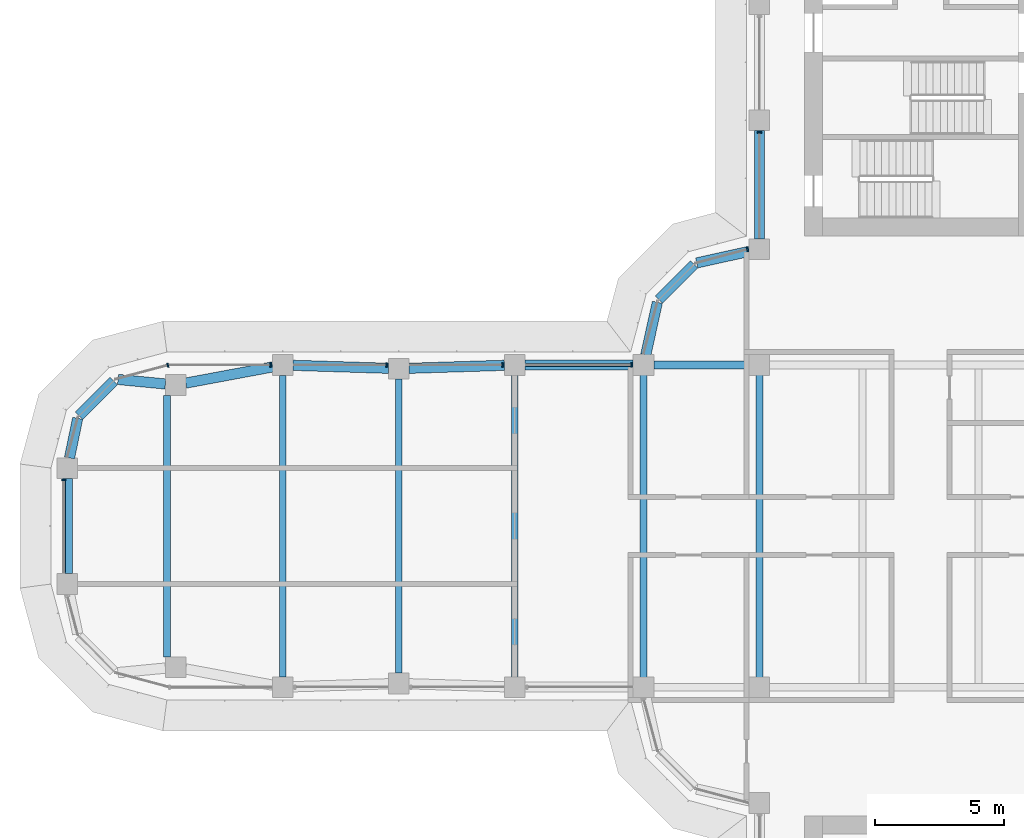
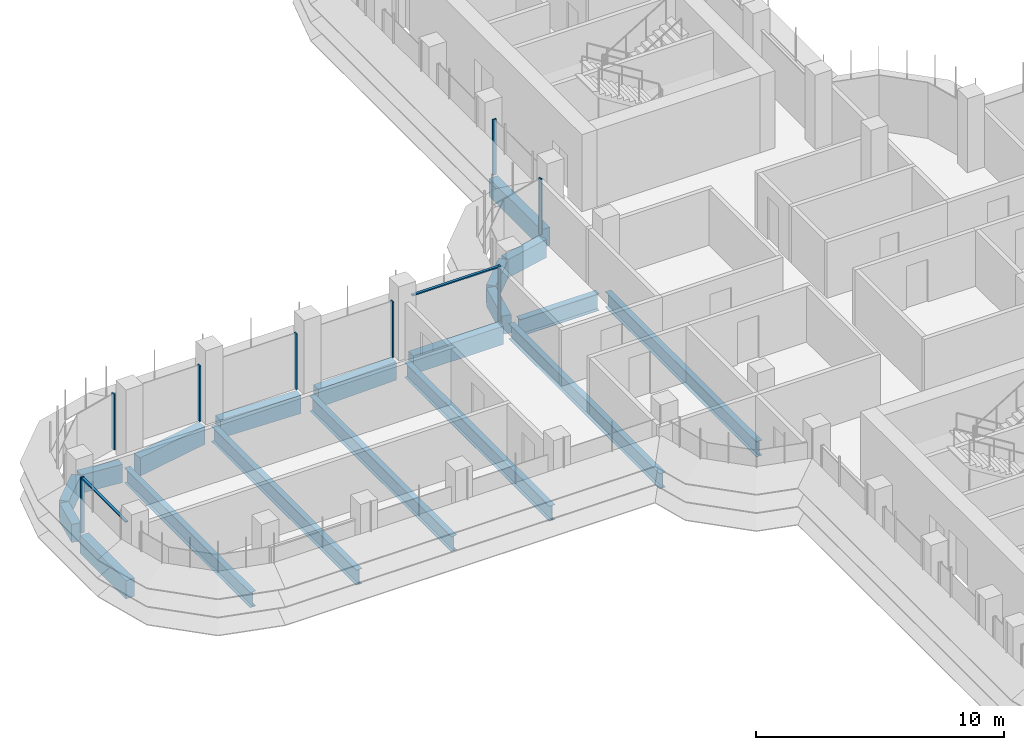
# One storey, part 6 of 20: 19 beams, 10 members, 5 elements without a shape of their own.
"""IFC4 building model written with IfcOpenShell, lengths in metres."""

from ifc_helpers import new_model, si_unit, direction, frame, origin, origin_2d, place, context, subcontext, project, spatial, polyline, rectangle, i_section, outline, extrude, source, transform, mapped, material, material_profile, profile_set, type_object, element, aggregate, save


model = new_model("IFC4")

# Units and contexts
model_context = context("Model", 3, precision=1e-05, world=origin(), true_north=direction((0.0, 1.0)))
body_context = subcontext(model_context, "Body", "Model", "MODEL_VIEW")
ifc_project = project(units=[si_unit("LENGTHUNIT", "METRE"), si_unit("AREAUNIT", "SQUARE_METRE"), si_unit("VOLUMEUNIT", "CUBIC_METRE"), si_unit("PLANEANGLEUNIT", "RADIAN"), si_unit("MASSUNIT", "GRAM", prefix="KILO")], contexts=[model_context])

# Site, building, storey
site_placement = place(None, origin())
site = spatial("IfcSite", under=ifc_project, at=site_placement, CompositionType="ELEMENT")
building_placement = place(site_placement, origin())
building = spatial("IfcBuilding", under=site, at=building_placement, Name="Zarbagh Exchange Tower", CompositionType="ELEMENT")
storey_placement = place(building_placement, frame((0.0, 0.0, 141.0)))
storey = spatial("IfcBuildingStorey", under=building, at=storey_placement, Name="L33", CompositionType="ELEMENT", Elevation=141.0)

# Beams
ifc_material_1 = material(Name="Steel ASTM A992 Gr 50", Category="steel")
ifc_material_profile_1 = material_profile(ifc_material_1, i_section(OverallWidth=0.26416015625, OverallDepth=0.749267578125, WebThickness=0.011962890625, FlangeThickness=0.015380859375, at=origin_2d()), Name="W30X90")
ifc_profile_set_1 = profile_set([ifc_material_profile_1], Name="Steel ASTM A992 Gr 50")
beam_type_1 = type_object("IfcBeamType", Name="Floor beam W30X90", PredefinedType="BEAM", material=ifc_profile_set_1)
for number, where, z_axis, x_axis, name in (
    (1, (-10.75, -6.10400390625, -0.524658203125), (0.0, 1.0, 0.0), (-1.0, 0.0, 0.0), "Steel floor beam"),
    (2, (-6.25, -6.10400390625, -0.524658203125), (0.0, 1.0, 0.0), (-1.0, 0.0, 0.0), "Steel floor beam"),
):
    element("IfcBeam", number, at=place(storey_placement, frame(where, z_axis=z_axis, x_axis=x_axis)), inside=storey, type_object=beam_type_1, Name=name, PredefinedType="BEAM", context=body_context, shape_type="SweptSolid", body=[
        extrude(i_section(OverallWidth=0.26416015625, OverallDepth=0.749267578125, WebThickness=0.011962890625, FlangeThickness=0.015380859375, at=origin_2d()), origin(), (0.0, 0.0, 1.0), 12.2080078125),
    ])
beam_1_placement = place(storey_placement, frame((-15.75, -5.85009765625, -0.524658203125), z_axis=(0.0, 1.0, 0.0), x_axis=(-1.0, 0.0, 0.0)))
element("IfcBeam", 3, at=beam_1_placement, inside=storey, type_object=beam_type_1, Name="Steel floor beam", PredefinedType="BEAM", context=body_context, shape_type="SweptSolid", body=[
    extrude(i_section(OverallWidth=0.26416015625, OverallDepth=0.749267578125, WebThickness=0.011962890625, FlangeThickness=0.015380859375, at=origin_2d()), origin(), (0.0, 0.0, 1.0), 11.7001953125),
])
beam_2_placement = place(storey_placement, frame((-20.25, -5.7099609375, -0.524658203125), z_axis=(0.0, 1.0, 0.0), x_axis=(-1.0, 0.0, 0.0)))
element("IfcBeam", 4, at=beam_2_placement, inside=storey, type_object=beam_type_1, Name="Steel floor beam", PredefinedType="BEAM", context=body_context, shape_type="SweptSolid", body=[
    extrude(i_section(OverallWidth=0.26416015625, OverallDepth=0.749267578125, WebThickness=0.011962890625, FlangeThickness=0.015380859375, at=origin_2d()), origin(), (0.0, 0.0, 1.0), 11.419921875),
])
beam_3_placement = place(storey_placement, frame((-24.75, -5.85009765625, -0.524658203125), z_axis=(0.0, 1.0, 0.0), x_axis=(-1.0, 0.0, 0.0)))
element("IfcBeam", 5, at=beam_3_placement, inside=storey, type_object=beam_type_1, Name="Steel floor beam", PredefinedType="BEAM", context=body_context, shape_type="SweptSolid", body=[
    extrude(i_section(OverallWidth=0.26416015625, OverallDepth=0.749267578125, WebThickness=0.011962890625, FlangeThickness=0.015380859375, at=origin_2d()), origin(), (0.0, 0.0, 1.0), 11.7001953125),
])
beam_4_placement = place(storey_placement, frame((-29.25, -5.074951171875, -0.524658203125), z_axis=(0.0, 1.0, 0.0), x_axis=(-1.0, 0.0, 0.0)))
element("IfcBeam", 6, at=beam_4_placement, inside=storey, type_object=beam_type_1, Name="Steel floor beam", PredefinedType="BEAM", context=body_context, shape_type="SweptSolid", body=[
    extrude(i_section(OverallWidth=0.26416015625, OverallDepth=0.749267578125, WebThickness=0.011962890625, FlangeThickness=0.015380859375, at=origin_2d()), origin(), (0.0, 0.0, 1.0), 10.14990234375),
])
ifc_material_profile_2 = material_profile(ifc_material_1, i_section(OverallWidth=0.2919921875, OverallDepth=0.835693359375, WebThickness=0.013916015625, FlangeThickness=0.018798828125, at=origin_2d()), Name="W33X118")
ifc_profile_set_2 = profile_set([ifc_material_profile_2], Name="Steel ASTM A992 Gr 50")
beam_type_2 = type_object("IfcBeamType", Name="Floor girder W33X118", PredefinedType="BEAM", material=ifc_profile_set_2)
beam_5_placement = place(storey_placement, frame((-10.35009765625, 6.25, -0.56787109375), z_axis=(1.0, 0.0, 0.0), x_axis=(0.0, 1.0, 0.0)))
element("IfcBeam", 7, at=beam_5_placement, inside=storey, type_object=beam_type_2, Name="Steel girder", PredefinedType="BEAM", context=body_context, shape_type="SweptSolid", body=[
    extrude(i_section(OverallWidth=0.2919921875, OverallDepth=0.835693359375, WebThickness=0.013916015625, FlangeThickness=0.018798828125, at=origin_2d()), origin(), (0.0, 0.0, 1.0), 3.7001953125),
])
ifc_material_2 = material(Name="Concrete C50/60", Category="concrete")
ifc_material_profile_3 = material_profile(ifc_material_2, rectangle(XDim=0.39990234375, YDim=0.89990234375, at=origin_2d()), Name="RC spandrel beam 400 x 900 C50/60")
ifc_profile_set_3 = profile_set([ifc_material_profile_3], Name="Concrete C50/60")
beam_type_3 = type_object("IfcBeamType", Name="RC spandrel beam 400 x 900 C50/60", PredefinedType="SPANDREL", material=ifc_profile_set_3)
beam_6_placement = place(storey_placement, frame((-33.110107421875, -1.85009765625, -0.60009765625), z_axis=(0.0, 1.0, 0.0), x_axis=(-1.0, 0.0, 0.0)))
element("IfcBeam", 8, at=beam_6_placement, inside=storey, type_object=beam_type_3, Name="RC spandrel beam", PredefinedType="SPANDREL", context=body_context, shape_type="SweptSolid", body=[
    extrude(rectangle(XDim=0.39990234375, YDim=0.89990234375, at=origin_2d()), origin(), (0.0, 0.0, 1.0), 3.7001953125),
])
beam_7_placement = place(storey_placement, frame((-33.029052734375, 2.6416015625, -0.60009765625), z_axis=(0.20216948151, 0.979350550491, 0.0), x_axis=(-0.979350550491, 0.20216948151, 0.0)))
element("IfcBeam", 9, at=beam_7_placement, inside=storey, type_object=beam_type_3, Name="RC spandrel beam", PredefinedType="SPANDREL", context=body_context, shape_type="SweptSolid", body=[
    extrude(rectangle(XDim=0.39990234375, YDim=0.89990234375, at=origin_2d()), origin(), (0.0, 0.0, 1.0), 1.573486328125),
])
beam_8_placement = place(storey_placement, frame((-32.656494140625, 4.283447265625, -0.60009765625), z_axis=(0.707106781187, 0.707106781187, 0.0), x_axis=(-0.707106781187, 0.707106781187, 0.0)))
element("IfcBeam", 10, at=beam_8_placement, inside=storey, type_object=beam_type_3, Name="RC spandrel beam", PredefinedType="SPANDREL", context=body_context, shape_type="SweptSolid", body=[
    extrude(rectangle(XDim=0.39990234375, YDim=0.89990234375, at=origin_2d()), origin(), (0.0, 0.0, 1.0), 1.9072265625),
])
beam_9_placement = place(storey_placement, frame((-31.147216796875, 5.689697265625, -0.60009765625), z_axis=(0.995435353267, -0.095438239015, 0.0), x_axis=(0.095438239015, 0.995435353267, 0.0)))
element("IfcBeam", 11, at=beam_9_placement, inside=storey, type_object=beam_type_3, Name="RC spandrel beam", PredefinedType="SPANDREL", context=body_context, shape_type="SweptSolid", body=[
    extrude(rectangle(XDim=0.39990234375, YDim=0.89990234375, at=origin_2d()), origin(), (0.0, 0.0, 1.0), 1.849609375),
])
beam_10_placement = place(storey_placement, frame((-28.514892578125, 5.54833984375, -0.60009765625), z_axis=(0.983069862768, 0.183231124313, 0.0), x_axis=(-0.183231124313, 0.983069862768, 0.0)))
element("IfcBeam", 12, at=beam_10_placement, inside=storey, type_object=beam_type_3, Name="RC spandrel beam", PredefinedType="SPANDREL", context=body_context, shape_type="SweptSolid", body=[
    extrude(rectangle(XDim=0.39990234375, YDim=0.89990234375, at=origin_2d()), origin(), (0.0, 0.0, 1.0), 3.4296875),
])
for number, where, z_axis, x_axis, name in (
    (13, (-24.35009765625, 6.237548828125, -0.60009765625), (0.999515416033, -0.031127690444, 0.0), (0.031127690444, 0.999515416033, 0.0), "RC spandrel beam"),
    (14, (-19.85009765625, 6.122314453125, -0.60009765625), (0.999515416033, 0.031127690444, 0.0), (-0.031127690444, 0.999515416033, 0.0), "RC spandrel beam"),
):
    element("IfcBeam", number, at=place(storey_placement, frame(where, z_axis=z_axis, x_axis=x_axis)), inside=storey, type_object=beam_type_3, Name=name, PredefinedType="SPANDREL", context=body_context, shape_type="SweptSolid", body=[
        extrude(rectangle(XDim=0.39990234375, YDim=0.89990234375, at=origin_2d()), origin(), (0.0, 0.0, 1.0), 3.701904296875),
    ])
beam_11_placement = place(storey_placement, frame((-15.35009765625, 6.25, -0.60009765625), z_axis=(1.0, 0.0, 0.0), x_axis=(0.0, 1.0, 0.0)))
element("IfcBeam", 15, at=beam_11_placement, inside=storey, type_object=beam_type_3, Name="RC spandrel beam", PredefinedType="SPANDREL", context=body_context, shape_type="SweptSolid", body=[
    extrude(rectangle(XDim=0.39990234375, YDim=0.89990234375, at=origin_2d()), origin(), (0.0, 0.0, 1.0), 4.2001953125),
])
beam_12_placement = place(storey_placement, frame((-10.66357421875, 6.640625, -0.60009765625), z_axis=(0.216041061437, 0.976384278741, 0.0), x_axis=(-0.976384278741, 0.216041061437, 0.0)))
element("IfcBeam", 16, at=beam_12_placement, inside=storey, type_object=beam_type_3, Name="RC spandrel beam", PredefinedType="SPANDREL", context=body_context, shape_type="SweptSolid", body=[
    extrude(rectangle(XDim=0.39990234375, YDim=0.89990234375, at=origin_2d()), origin(), (0.0, 0.0, 1.0), 2.0927734375),
])
beam_13_placement = place(storey_placement, frame((-10.15771484375, 8.782470703125, -0.60009765625), z_axis=(0.707106781187, 0.707106781187, 0.0), x_axis=(-0.707106781187, 0.707106781187, 0.0)))
element("IfcBeam", 17, at=beam_13_placement, inside=storey, type_object=beam_type_3, Name="RC spandrel beam", PredefinedType="SPANDREL", context=body_context, shape_type="SweptSolid", body=[
    extrude(rectangle(XDim=0.39990234375, YDim=0.89990234375, at=origin_2d()), origin(), (0.0, 0.0, 1.0), 1.94482421875),
])
beam_14_placement = place(storey_placement, frame((-8.68408203125, 10.21142578125, -0.60009765625), z_axis=(0.976384278741, 0.216041061437, 0.0), x_axis=(-0.216041061437, 0.976384278741, 0.0)))
element("IfcBeam", 18, at=beam_14_placement, inside=storey, type_object=beam_type_3, Name="RC spandrel beam", PredefinedType="SPANDREL", context=body_context, shape_type="SweptSolid", body=[
    extrude(rectangle(XDim=0.39990234375, YDim=0.89990234375, at=origin_2d()), origin(), (0.0, 0.0, 1.0), 2.0927734375),
])
beam_15_placement = place(storey_placement, frame((-6.25, 11.14990234375, -0.60009765625), z_axis=(0.0, 1.0, 0.0), x_axis=(-1.0, 0.0, 0.0)))
element("IfcBeam", 19, at=beam_15_placement, inside=storey, type_object=beam_type_3, Name="RC spandrel beam", PredefinedType="SPANDREL", context=body_context, shape_type="SweptSolid", body=[
    extrude(rectangle(XDim=0.39990234375, YDim=0.89990234375, at=origin_2d()), origin(), (0.0, 0.0, 1.0), 4.2001953125),
])

# Curtain wall, member
ifc_material_3 = material(Name="Anodised aluminium frame and glazing", Category="aluminium")
curtain_wall_type = type_object("IfcCurtainWallType", Name="CWB Ribbon glazing, upper zones", PredefinedType="NOTDEFINED", material=ifc_material_3)
curtain_wall_1_placement = place(storey_placement, origin())
curtain_wall_1 = element("IfcCurtainWall", 20, at=curtain_wall_1_placement, inside=storey, type_object=curtain_wall_type, Name="CWB28 curtain wall", PredefinedType="NOTDEFINED")
ifc_material_4 = material(Name="Anodised aluminium frame", Category="aluminium")
member_type_1 = type_object("IfcMemberType", Name="MUB Mullion, anodised aluminium frame", PredefinedType="MULLION", material=ifc_material_4)
shared_shape_1 = source(origin(), body_context, "Body", "SweptSolid", [
    extrude(outline(polyline([(0.0, -0.080078125), (0.06005859375, -0.080078125), (0.06005859375, 0.080078125), (0.0, 0.080078125), (0.0, -0.080078125)])), origin(), (0.0, 0.0, 1.0), 2.75),
])
placement = place(storey_placement, origin())
member_1 = element("IfcMember", 21, at=placement, type_object=member_type_1, Name="CWB28 mullion 4.1", PredefinedType="MULLION", context=body_context, shape_type="MappedRepresentation", body=[
    mapped(shared_shape_1, transform((-6.25, 15.31005859375, 0.0), x_axis=(0.0, -1.0, 0.0), y_axis=(1.0, 0.0, 0.0), z_axis=(0.0, 0.0, 1.0))),
])
aggregate(curtain_wall_1, [member_1])

curtain_wall_2_placement = place(storey_placement, origin())
curtain_wall_2 = element("IfcCurtainWall", 22, at=curtain_wall_2_placement, inside=storey, type_object=curtain_wall_type, Name="CWB29 curtain wall", PredefinedType="NOTDEFINED")
member_2 = element("IfcMember", 23, at=placement, type_object=member_type_1, Name="CWB29 mullion 1.1", PredefinedType="MULLION", context=body_context, shape_type="MappedRepresentation", body=[
    mapped(shared_shape_1, transform((-6.68994140625, 10.74853515625, 0.0), x_axis=(-0.965924289636, -0.258824779902, 0.0), y_axis=(0.258824779902, -0.965924289636, 0.0), z_axis=(0.0, 0.0, 1.0))),
])
aggregate(curtain_wall_2, [member_2])

# Curtain wall, members
curtain_wall_3_placement = place(storey_placement, origin())
curtain_wall_3 = element("IfcCurtainWall", 24, at=curtain_wall_3_placement, inside=storey, type_object=curtain_wall_type, Name="CWB32 curtain wall", PredefinedType="NOTDEFINED")
member_3 = element("IfcMember", 25, at=placement, type_object=member_type_1, Name="CWB32 mullion 1.1", PredefinedType="MULLION", context=body_context, shape_type="MappedRepresentation", body=[
    mapped(shared_shape_1, transform((-11.18994140625, 6.25, 0.0), x_axis=(-1.0, 0.0, 0.0), y_axis=(0.0, -1.0, 0.0), z_axis=(0.0, 0.0, 1.0))),
])
member_4 = element("IfcMember", 26, at=placement, type_object=member_type_1, Name="CWB32 mullion 2.1", PredefinedType="MULLION", context=body_context, shape_type="MappedRepresentation", body=[
    mapped(shared_shape_1, transform((-16.18994140625, 6.25, 0.0), x_axis=(-1.0, 0.0, 0.0), y_axis=(0.0, -1.0, 0.0), z_axis=(0.0, 0.0, 1.0))),
])
member_5 = element("IfcMember", 27, at=placement, type_object=member_type_1, Name="CWB32 mullion 3.1", PredefinedType="MULLION", context=body_context, shape_type="MappedRepresentation", body=[
    mapped(shared_shape_1, transform((-20.68994140625, 6.25, 0.0), x_axis=(-1.0, 0.0, 0.0), y_axis=(0.0, -1.0, 0.0), z_axis=(0.0, 0.0, 1.0))),
])
member_6 = element("IfcMember", 28, at=placement, type_object=member_type_1, Name="CWB32 mullion 4.1", PredefinedType="MULLION", context=body_context, shape_type="MappedRepresentation", body=[
    mapped(shared_shape_1, transform((-25.18994140625, 6.25, 0.0), x_axis=(-1.0, 0.0, 0.0), y_axis=(0.0, -1.0, 0.0), z_axis=(0.0, 0.0, 1.0))),
])

# Curtain wall, member
curtain_wall_4_placement = place(storey_placement, origin())
curtain_wall_4 = element("IfcCurtainWall", 29, at=curtain_wall_4_placement, inside=storey, type_object=curtain_wall_type, Name="CWB33 curtain wall", PredefinedType="NOTDEFINED")
member_7 = element("IfcMember", 30, at=placement, type_object=member_type_1, Name="CWB33 mullion 1.1", PredefinedType="MULLION", context=body_context, shape_type="MappedRepresentation", body=[
    mapped(shared_shape_1, transform((-29.18408203125, 6.25, 0.0), x_axis=(-0.965924289636, -0.258824779902, 0.0), y_axis=(0.258824779902, -0.965924289636, 0.0), z_axis=(0.0, 0.0, 1.0))),
])
aggregate(curtain_wall_4, [member_7])

curtain_wall_5_placement = place(storey_placement, origin())
curtain_wall_5 = element("IfcCurtainWall", 31, at=curtain_wall_5_placement, inside=storey, type_object=curtain_wall_type, Name="CWB36 curtain wall", PredefinedType="NOTDEFINED")
member_8 = element("IfcMember", 32, at=placement, type_object=member_type_1, Name="CWB36 mullion 1.1", PredefinedType="MULLION", context=body_context, shape_type="MappedRepresentation", body=[
    mapped(shared_shape_1, transform((-33.25, 1.81005859375, 0.0), x_axis=(0.0, -1.0, 0.0), y_axis=(1.0, 0.0, 0.0), z_axis=(0.0, 0.0, 1.0))),
])

# Member
member_type_2 = type_object("IfcMemberType", Name="TRB Transom, anodised aluminium frame", PredefinedType="USERDEFINED", material=ifc_material_4)
shared_shape_2 = source(origin(), body_context, "Body", "SweptSolid", [
    extrude(outline(polyline([(-0.06005859375, -0.06005859375), (0.0, -0.06005859375), (0.0, 0.06005859375), (-0.06005859375, 0.06005859375), (-0.06005859375, -0.06005859375)])), origin(), (0.0, 0.0, 1.0), 4.06005859375),
])
member_9 = element("IfcMember", 33, at=placement, type_object=member_type_2, Name="CWB32 transom 1.1", ObjectType="TRANSOM", PredefinedType="USERDEFINED", context=body_context, shape_type="MappedRepresentation", body=[
    mapped(shared_shape_2, transform((-11.25, 6.25, 2.75), x_axis=(0.0, 0.0, 1.0), y_axis=(0.0, 1.0, 0.0), z_axis=(-1.0, 0.0, 0.0))),
])

aggregate(curtain_wall_3, [member_3, member_9, member_4, member_5, member_6])

shared_shape_3 = source(origin(), body_context, "Body", "SweptSolid", [
    extrude(outline(polyline([(-0.06005859375, -0.06005859375), (0.0, -0.06005859375), (0.0, 0.06005859375), (-0.06005859375, 0.06005859375), (-0.06005859375, -0.06005859375)])), origin(), (0.0, 0.0, 1.0), 3.56005859375),
])
member_10 = element("IfcMember", 34, at=placement, type_object=member_type_2, Name="CWB36 transom 1.1", ObjectType="TRANSOM", PredefinedType="USERDEFINED", context=body_context, shape_type="MappedRepresentation", body=[
    mapped(shared_shape_3, transform((-33.25, 1.75, 2.75), x_axis=(0.0, 0.0, 1.0), y_axis=(-1.0, 0.0, 0.0), z_axis=(0.0, -1.0, 0.0))),
])

aggregate(curtain_wall_5, [member_8, member_10])

save(model, "model.ifc")
